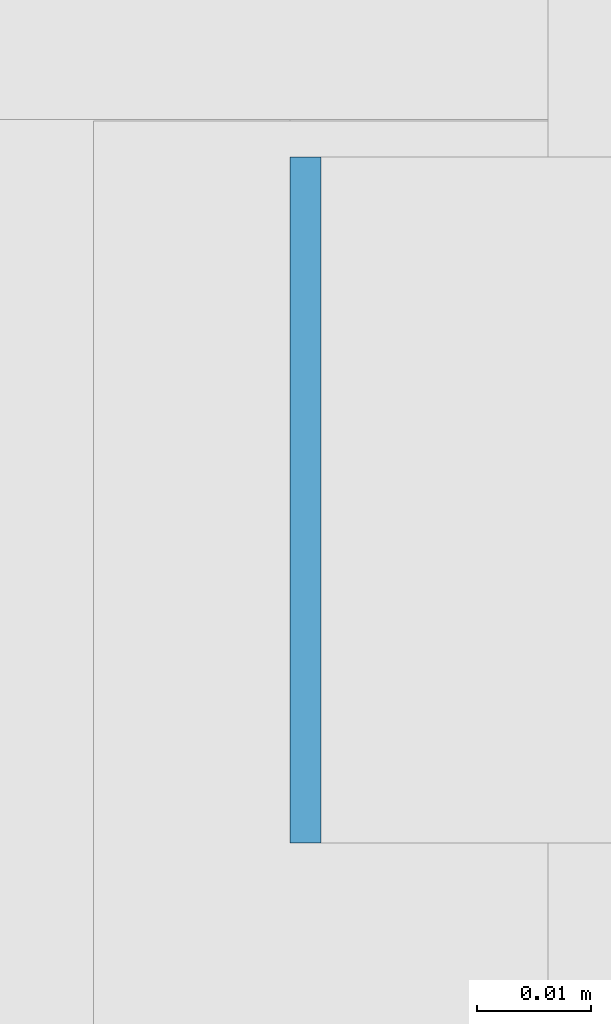
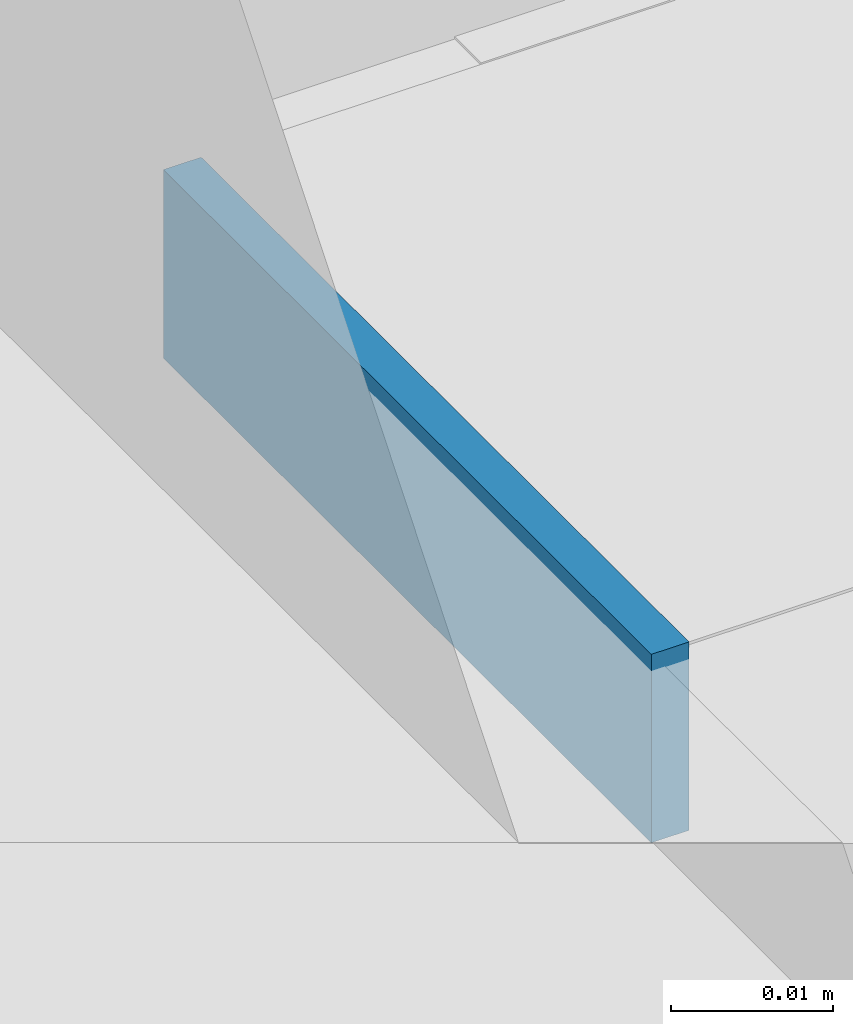
# One storey, part 609 of 646: 1 discrete accessory.
"""IFC4 building model written with IfcOpenShell, lengths in metres."""

from ifc_helpers import new_model, si_unit, direction, frame, origin, origin_2d, place, context, subcontext, project, spatial, rectangle, extrude, material, type_object, element, save


model = new_model("IFC4")

# Units and contexts
model_context = context("Model", 3, precision=1e-05, world=origin(), true_north=direction((0.0, 1.0)))
body_context = subcontext(model_context, "Body", "Model", "MODEL_VIEW")
ifc_project = project(units=[si_unit("LENGTHUNIT", "METRE"), si_unit("AREAUNIT", "SQUARE_METRE"), si_unit("VOLUMEUNIT", "CUBIC_METRE"), si_unit("PLANEANGLEUNIT", "RADIAN"), si_unit("MASSUNIT", "GRAM", prefix="KILO")], contexts=[model_context])

# Site, building, storey
site_placement = place(None, origin())
site = spatial("IfcSite", under=ifc_project, at=site_placement, CompositionType="ELEMENT")
building_placement = place(site_placement, origin())
building = spatial("IfcBuilding", under=site, at=building_placement, Name="Silverbay Arena", CompositionType="ELEMENT")
storey_placement = place(building_placement, frame((0.0, 0.0, 33.5)))
storey = spatial("IfcBuildingStorey", under=building, at=storey_placement, Name="L05", CompositionType="ELEMENT", Elevation=33.5)

# Discrete accessory
ifc_material = material(Name="Steel S355", Category="steel")
discrete_accessory_type = type_object("IfcDiscreteAccessoryType", Name="Steel bracket plate", PredefinedType="BRACKET", material=ifc_material)
discrete_accessory_placement = place(storey_placement, frame((207.128662109375, 128.86669921875, 12.98583984375), z_axis=(0.0, 0.0, 1.0), x_axis=(1.0, 0.0, 0.0)))
element("IfcDiscreteAccessory", 1, at=discrete_accessory_placement, inside=storey, type_object=discrete_accessory_type, Name="Curtain wall packing plate", PredefinedType="BRACKET", context=body_context, shape_type="SweptSolid", body=[
    extrude(rectangle(XDim=0.002685546875, YDim=0.06005859375, at=origin_2d()), origin(), (0.0, 0.0, 1.0), 0.01416015625),
])

save(model, "model.ifc")
